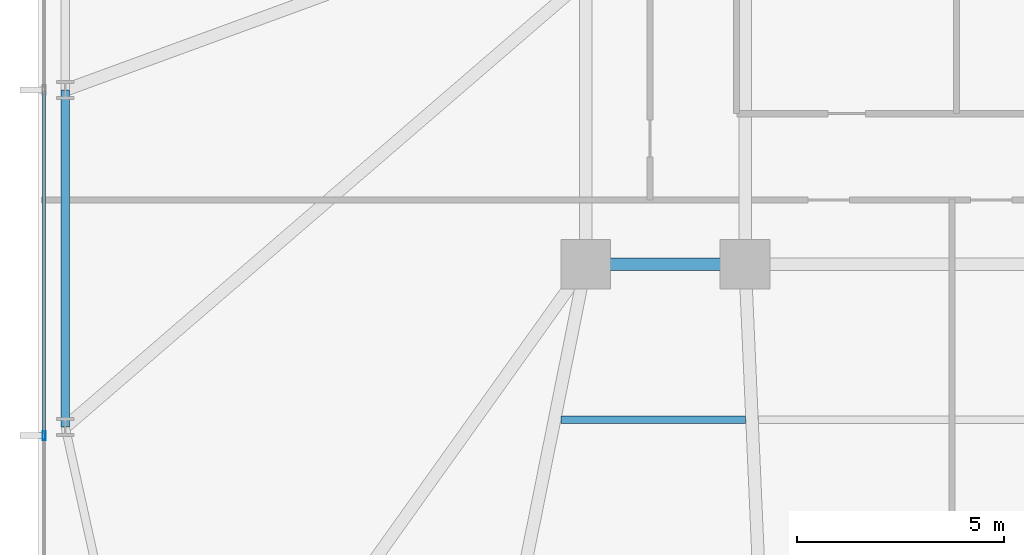
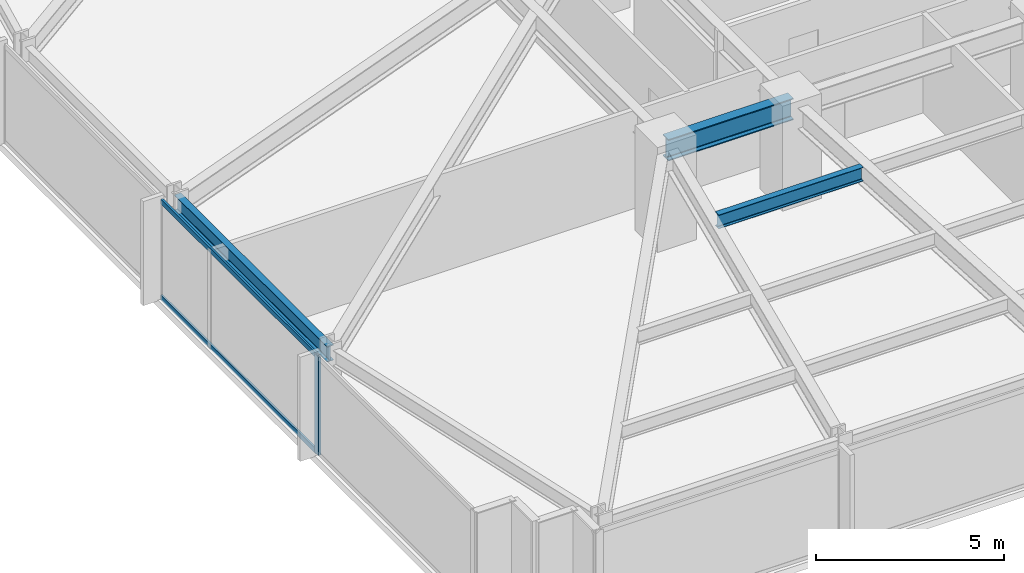
# One storey, part 4 of 32: 3 beams, 3 members, 1 element without a shape of its own.
"""IFC4 building model written with IfcOpenShell, lengths in metres."""

from ifc_helpers import new_model, si_unit, direction, frame, origin, origin_2d, place, context, subcontext, project, spatial, hollow_rectangle, i_section, extrude, material, material_profile, profile_set, type_object, element, aggregate, save


model = new_model("IFC4")

# Units and contexts
model_context = context("Model", 3, precision=1e-05, world=origin(), true_north=direction((0.0, 1.0)))
body_context = subcontext(model_context, "Body", "Model", "MODEL_VIEW")
ifc_project = project(units=[si_unit("LENGTHUNIT", "METRE"), si_unit("AREAUNIT", "SQUARE_METRE"), si_unit("VOLUMEUNIT", "CUBIC_METRE"), si_unit("PLANEANGLEUNIT", "RADIAN"), si_unit("MASSUNIT", "GRAM", prefix="KILO")], contexts=[model_context])

# Site, building, storey
site_placement = place(None, origin())
site = spatial("IfcSite", under=ifc_project, at=site_placement, CompositionType="ELEMENT")
building_placement = place(site_placement, origin())
building = spatial("IfcBuilding", under=site, at=building_placement, Name="Yelkora Congress Tower", CompositionType="ELEMENT")
storey_placement = place(building_placement, frame((0.0, 0.0, 61.0)))
storey = spatial("IfcBuildingStorey", under=building, at=storey_placement, Name="L15", CompositionType="ELEMENT", Elevation=61.0)

# Beams
ifc_material_1 = material(Name="Steel S355J2", Category="steel")
ifc_material_profile_1 = material_profile(ifc_material_1, i_section(OverallWidth=0.300048828125, OverallDepth=0.699951171875, WebThickness=0.01708984375, FlangeThickness=0.031982421875, FilletRadius=0.027099609375, at=origin_2d()), Name="HEB 700")
ifc_profile_set_1 = profile_set([ifc_material_profile_1], Name="Steel S355J2")
beam_type_1 = type_object("IfcBeamType", Name="BM-GIRD-HEB700", PredefinedType="BEAM", material=ifc_profile_set_1)
beam_1_placement = place(storey_placement, frame((19.199951171875, 25.199951171875, 2.830078125), z_axis=(1.0, 0.0, 0.0), x_axis=(0.0, 1.0, 0.0)))
element("IfcBeam", 1, at=beam_1_placement, inside=storey, type_object=beam_type_1, Name="L15 Spine Grid D Girder 1", PredefinedType="BEAM", context=body_context, shape_type="SweptSolid", body=[
    extrude(i_section(OverallWidth=0.300048828125, OverallDepth=0.699951171875, WebThickness=0.01708984375, FlangeThickness=0.031982421875, FilletRadius=0.027099609375, at=origin_2d()), origin(), (0.0, 0.0, 1.0), 3.840087890625),
])
ifc_material_profile_2 = material_profile(ifc_material_1, i_section(OverallWidth=0.18994140625, OverallDepth=0.449951171875, WebThickness=0.009521484375, FlangeThickness=0.0146484375, FilletRadius=0.02099609375, at=origin_2d()), Name="IPE 450")
ifc_profile_set_2 = profile_set([ifc_material_profile_2], Name="Steel S355J2")
beam_type_2 = type_object("IfcBeamType", Name="BM-JOIST-IPE450", PredefinedType="JOIST", material=ifc_profile_set_2)
beam_2_placement = place(storey_placement, frame((18.60546875, 21.449951171875, 2.955078125), z_axis=(1.0, 0.0, 0.0), x_axis=(0.0, 1.0, 0.0)))
element("IfcBeam", 2, at=beam_2_placement, inside=storey, type_object=beam_type_2, Name="L15 Composite Floor Joist 17", PredefinedType="JOIST", context=body_context, shape_type="SweptSolid", body=[
    extrude(i_section(OverallWidth=0.18994140625, OverallDepth=0.449951171875, WebThickness=0.009521484375, FlangeThickness=0.0146484375, FilletRadius=0.02099609375, at=origin_2d()), origin(), (0.0, 0.0, 1.0), 4.4404296875),
])
ifc_material_profile_3 = material_profile(ifc_material_1, i_section(OverallWidth=0.199951171875, OverallDepth=0.5, WebThickness=0.01025390625, FlangeThickness=0.01611328125, FilletRadius=0.02099609375, at=origin_2d()), Name="IPE 500")
ifc_profile_set_3 = profile_set([ifc_material_profile_3], Name="Steel S355J2")
beam_type_3 = type_object("IfcBeamType", Name="BM-SPAN-IPE500", PredefinedType="SPANDREL", material=ifc_profile_set_3)
beam_3_placement = place(storey_placement, frame((6.64990234375, 29.39990234375, 2.929931640625), z_axis=(0.0, -1.0, 0.0), x_axis=(1.0, 0.0, 0.0)))
element("IfcBeam", 3, at=beam_3_placement, inside=storey, type_object=beam_type_3, Name="L15 Perimeter Beam 19", PredefinedType="SPANDREL", context=body_context, shape_type="SweptSolid", body=[
    extrude(i_section(OverallWidth=0.199951171875, OverallDepth=0.5, WebThickness=0.01025390625, FlangeThickness=0.01611328125, FilletRadius=0.02099609375, at=origin_2d()), origin(), (0.0, 0.0, 1.0), 8.125),
])

# Curtain wall, members
ifc_material_2 = material(Name="Anodised aluminium and insulated glass", Category="aluminium")
curtain_wall_type = type_object("IfcCurtainWallType", Name="CW-SYS-B1", PredefinedType="NOTDEFINED", material=ifc_material_2)
curtain_wall_placement = place(storey_placement, origin())
curtain_wall = element("IfcCurtainWall", 4, at=curtain_wall_placement, inside=storey, type_object=curtain_wall_type, Name="L15 Unitised Curtain Wall 5", PredefinedType="NOTDEFINED")
ifc_material_3 = material(Name="Anodised aluminium 6063-T6", Category="aluminium")
ifc_material_profile_4 = material_profile(ifc_material_3, hollow_rectangle(XDim=0.074951171875, YDim=0.219970703125, WallThickness=0.0048828125, at=origin_2d()), Name="ALU 75x220x5")
ifc_profile_set_4 = profile_set([ifc_material_profile_4], Name="Anodised aluminium 6063-T6")
member_type_1 = type_object("IfcMemberType", Name="MEM-ML-B1", PredefinedType="MULLION", material=ifc_profile_set_4)
member_1_placement = place(storey_placement, frame((6.139892578125, 21.070068359375, 0.0), z_axis=(0.0, 0.0, 1.0), x_axis=(-1.0, 0.0, 0.0)))
member_1 = element("IfcMember", 5, at=member_1_placement, type_object=member_type_1, Name="CW-B1 mullion 2", PredefinedType="MULLION", context=body_context, shape_type="SweptSolid", body=[
    extrude(hollow_rectangle(XDim=0.074951171875, YDim=0.219970703125, WallThickness=0.0048828125, at=origin_2d()), origin(), (0.0, 0.0, 1.0), 3.179931640625),
])
ifc_material_profile_5 = material_profile(ifc_material_3, hollow_rectangle(XDim=0.06494140625, YDim=0.159912109375, WallThickness=0.00390625, at=origin_2d()), Name="ALU 65x160x4")
ifc_profile_set_5 = profile_set([ifc_material_profile_5], Name="Anodised aluminium 6063-T6")
member_type_2 = type_object("IfcMemberType", Name="MEM-TR-B1", PredefinedType="USERDEFINED", material=ifc_profile_set_5)
member_2_placement = place(storey_placement, frame((6.139892578125, 21.107421875, 0.032470703125), z_axis=(0.0, 1.0, 0.0), x_axis=(-1.0, 0.0, 0.0)))
member_2 = element("IfcMember", 6, at=member_2_placement, type_object=member_type_2, Name="CW-B1 transom 2.1", ObjectType="TRANSOM", PredefinedType="USERDEFINED", context=body_context, shape_type="SweptSolid", body=[
    extrude(hollow_rectangle(XDim=0.06494140625, YDim=0.159912109375, WallThickness=0.00390625, at=origin_2d()), origin(), (0.0, 0.0, 1.0), 8.255126953125),
])
member_3_placement = place(storey_placement, frame((6.139892578125, 21.107421875, 3.1474609375), z_axis=(0.0, 1.0, 0.0), x_axis=(-1.0, 0.0, 0.0)))
member_3 = element("IfcMember", 7, at=member_3_placement, type_object=member_type_2, Name="CW-B1 transom 2.2", ObjectType="TRANSOM", PredefinedType="USERDEFINED", context=body_context, shape_type="SweptSolid", body=[
    extrude(hollow_rectangle(XDim=0.06494140625, YDim=0.159912109375, WallThickness=0.00390625, at=origin_2d()), origin(), (0.0, 0.0, 1.0), 8.255126953125),
])
aggregate(curtain_wall, [member_1, member_2, member_3])

save(model, "model.ifc")
